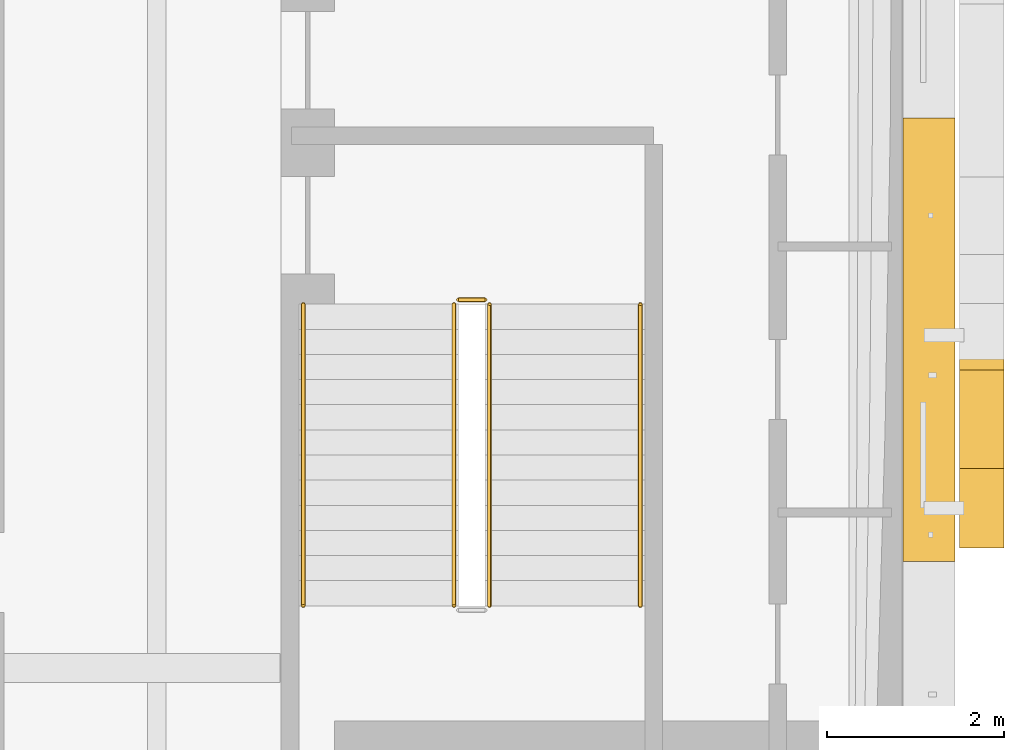
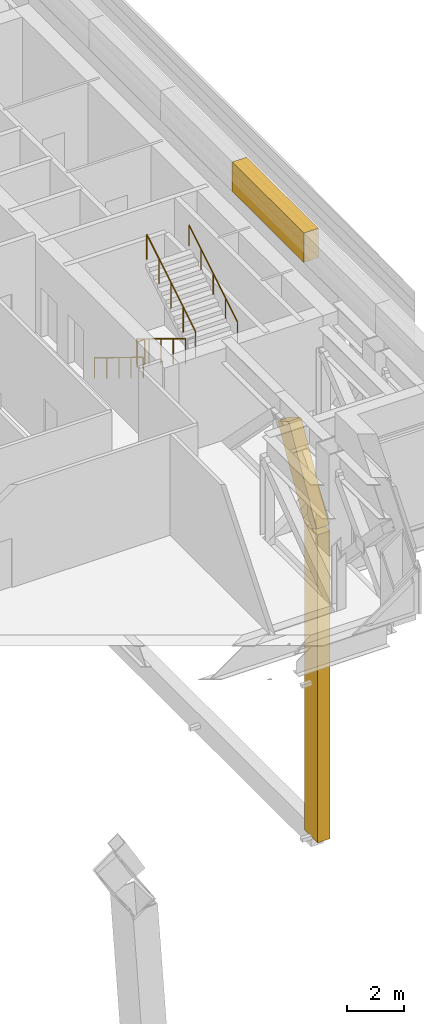
# One storey, part 28 of 38: 5 railings, 3 coverings.
"""IFC4 building model written with IfcOpenShell, lengths in metres."""

from ifc_helpers import new_model, si_unit, direction, frame, origin, origin_2d, place, context, subcontext, project, spatial, polyline, rectangle, circle, outline, extrude, material, material_profile, profile_set, type_object, element, save


model = new_model("IFC4")

# Units and contexts
model_context = context("Model", 3, precision=1e-05, world=origin(), true_north=direction((0.0, 1.0)))
body_context = subcontext(model_context, "Body", "Model", "MODEL_VIEW")
ifc_project = project(units=[si_unit("LENGTHUNIT", "METRE"), si_unit("AREAUNIT", "SQUARE_METRE"), si_unit("VOLUMEUNIT", "CUBIC_METRE"), si_unit("PLANEANGLEUNIT", "RADIAN"), si_unit("MASSUNIT", "GRAM", prefix="KILO")], contexts=[model_context])

# Site, building, storey
site_placement = place(None, origin())
site = spatial("IfcSite", under=ifc_project, at=site_placement, CompositionType="ELEMENT")
building_placement = place(site_placement, origin())
building = spatial("IfcBuilding", under=site, at=building_placement, Name="Cobrizo Arcos Hotel Tower", CompositionType="ELEMENT")
storey_placement = place(building_placement, frame((0.0, 0.0, 138.0)))
storey = spatial("IfcBuildingStorey", under=building, at=storey_placement, Name="L35", CompositionType="ELEMENT", Elevation=138.0)

# Coverings
ifc_material_1 = material(Name="Aluminium 6063-T6 anodised pale", Category="aluminium")
ifc_material_profile = material_profile(ifc_material_1, rectangle(XDim=0.5, YDim=0.89990234375, at=origin_2d()), Name="AF-2 core arch rim 500x900")
ifc_profile_set = profile_set([ifc_material_profile], Name="Aluminium 6063-T6 anodised pale")
covering_type_1 = type_object("IfcCoveringType", Name="AF-2 core arch rim 500x900", PredefinedType="CLADDING", material=ifc_profile_set)
covering_1_placement = place(storey_placement, frame((23.699951171875, -7.800048828125, -7.4326171875), z_axis=(0.0, 0.497621047013, 0.867394543198), x_axis=(-1.0, 0.0, 0.0)))
element("IfcCovering", 1, at=covering_1_placement, inside=storey, type_object=covering_type_1, Name="Arch rim B E face", PredefinedType="CLADDING", context=body_context, shape_type="SweptSolid", body=[
    extrude(rectangle(XDim=0.5, YDim=0.89990234375, at=origin_2d()), origin(), (0.0, 0.0, 1.0), 3.91845703125),
])
covering_2_placement = place(storey_placement, frame((23.699951171875, -7.800048828125, -20.550048828125), z_axis=(0.0, 0.0, 1.0), x_axis=(1.0, 0.0, 0.0)))
element("IfcCovering", 2, at=covering_2_placement, inside=storey, type_object=covering_type_1, Name="Arch rim B E face", PredefinedType="CLADDING", context=body_context, shape_type="SweptSolid", body=[
    extrude(rectangle(XDim=0.5, YDim=0.89990234375, at=origin_2d()), origin(), (0.0, 0.0, 1.0), 13.117431640625),
])
covering_type_2 = type_object("IfcCoveringType", Name="LF-1 setback skirt", PredefinedType="CLADDING", material=ifc_material_1)
covering_3_placement = place(storey_placement, frame((0.0, 0.0, 4.5)))
element("IfcCovering", 3, at=covering_3_placement, inside=storey, type_object=covering_type_2, Name="Setback skirt L35", PredefinedType="CLADDING", context=body_context, shape_type="SweptSolid", body=[
    extrude(outline(polyline([(22.81005859375, -3.39990234375), (22.81005859375, -8.39990234375), (23.39990234375, -8.39990234375), (23.39990234375, -3.39990234375), (22.81005859375, -3.39990234375)])), origin(), (0.0, 0.0, 1.0), 1.25),
])

# Railings
ifc_material_2 = material(Name="Stainless steel railing", Category="steel")
railing_type_1 = type_object("IfcRailingType", Name="Stair guard 1100", PredefinedType="GUARDRAIL", material=ifc_material_2)
railing_1_placement = place(storey_placement, frame((17.75, -5.5, 0.173095703125)))
element("IfcRailing", 4, at=railing_1_placement, inside=storey, type_object=railing_type_1, Name="L35 ST-E stair guard 1", PredefinedType="GUARDRAIL", context=body_context, shape_type="SweptSolid", body=[
    extrude(circle(Radius=0.02392578125, at=origin_2d()), frame((0.0, 0.0, 1.076171875), z_axis=(0.0, -0.853372706543, 0.52130127923), x_axis=(1.0, 0.0, 0.0)), (0.0, 0.0, 1.0), 3.984130859375),
    extrude(circle(Radius=0.02099609375, at=origin_2d()), origin(), (0.0, 0.0, 1.0), 1.052001953125),
    extrude(circle(Radius=0.02099609375, at=origin_2d()), frame((0.0, -0.85009765625, 0.519287109375)), (0.0, 0.0, 1.0), 1.052001953125),
    extrude(circle(Radius=0.02099609375, at=origin_2d()), frame((0.0, -1.699951171875, 1.03857421875)), (0.0, 0.0, 1.0), 1.052001953125),
    extrude(circle(Radius=0.02099609375, at=origin_2d()), frame((0.0, -2.5498046875, 1.5576171875)), (0.0, 0.0, 1.0), 1.052001953125),
    extrude(circle(Radius=0.02099609375, at=origin_2d()), frame((0.0, -3.39990234375, 2.076904296875)), (0.0, 0.0, 1.0), 1.052001953125),
])
railing_2_placement = place(storey_placement, frame((18.14990234375, -8.89990234375, 2.423095703125)))
element("IfcRailing", 5, at=railing_2_placement, inside=storey, type_object=railing_type_1, Name="L35 ST-E stair guard 3", PredefinedType="GUARDRAIL", context=body_context, shape_type="SweptSolid", body=[
    extrude(circle(Radius=0.02392578125, at=origin_2d()), frame((0.0, 0.0, 1.076171875), z_axis=(0.0, 0.853372706543, 0.52130127923), x_axis=(-1.0, 0.0, 0.0)), (0.0, 0.0, 1.0), 3.984130859375),
    extrude(circle(Radius=0.02099609375, at=origin_2d()), origin(), (0.0, 0.0, 1.0), 1.052001953125),
    extrude(circle(Radius=0.02099609375, at=origin_2d()), frame((0.0, 0.85009765625, 0.519287109375)), (0.0, 0.0, 1.0), 1.052001953125),
    extrude(circle(Radius=0.02099609375, at=origin_2d()), frame((0.0, 1.699951171875, 1.03857421875)), (0.0, 0.0, 1.0), 1.052001953125),
    extrude(circle(Radius=0.02099609375, at=origin_2d()), frame((0.0, 2.5498046875, 1.5576171875)), (0.0, 0.0, 1.0), 1.052001953125),
    extrude(circle(Radius=0.02099609375, at=origin_2d()), frame((0.0, 3.39990234375, 2.076904296875)), (0.0, 0.0, 1.0), 1.052001953125),
])
railing_3_placement = place(storey_placement, frame((17.800048828125, -5.449951171875, 0.0)))
element("IfcRailing", 6, at=railing_3_placement, inside=storey, type_object=railing_type_1, Name="L35 ST-E stair guard 4", PredefinedType="GUARDRAIL", context=body_context, shape_type="SweptSolid", body=[
    extrude(circle(Radius=0.02392578125, at=origin_2d()), frame((0.0, 0.0, 1.076171875), z_axis=(1.0, 0.0, 0.0), x_axis=(0.0, 1.0, 0.0)), (0.0, 0.0, 1.0), 0.300048828125),
    extrude(circle(Radius=0.02099609375, at=origin_2d()), origin(), (0.0, 0.0, 1.0), 1.052001953125),
    extrude(circle(Radius=0.02099609375, at=origin_2d()), frame((0.300048828125, 0.0, 0.0)), (0.0, 0.0, 1.0), 1.052001953125),
])
railing_type_2 = type_object("IfcRailingType", Name="Stair handrail", PredefinedType="HANDRAIL", material=ifc_material_2)
railing_4_placement = place(storey_placement, frame((16.050048828125, -5.5, 0.173095703125)))
element("IfcRailing", 7, at=railing_4_placement, inside=storey, type_object=railing_type_2, Name="L35 ST-E stair handrail 1", PredefinedType="HANDRAIL", context=body_context, shape_type="SweptSolid", body=[
    extrude(circle(Radius=0.02392578125, at=origin_2d()), frame((0.0, 0.0, 0.8759765625), z_axis=(0.0, -0.853372706543, 0.52130127923), x_axis=(1.0, 0.0, 0.0)), (0.0, 0.0, 1.0), 3.984130859375),
    extrude(circle(Radius=0.02099609375, at=origin_2d()), origin(), (0.0, 0.0, 1.0), 0.851806640625),
    extrude(circle(Radius=0.02099609375, at=origin_2d()), frame((0.0, -0.85009765625, 0.519287109375)), (0.0, 0.0, 1.0), 0.851806640625),
    extrude(circle(Radius=0.02099609375, at=origin_2d()), frame((0.0, -1.699951171875, 1.03857421875)), (0.0, 0.0, 1.0), 0.851806640625),
    extrude(circle(Radius=0.02099609375, at=origin_2d()), frame((0.0, -2.5498046875, 1.5576171875)), (0.0, 0.0, 1.0), 0.851806640625),
    extrude(circle(Radius=0.02099609375, at=origin_2d()), frame((0.0, -3.39990234375, 2.076904296875)), (0.0, 0.0, 1.0), 0.851806640625),
])
railing_5_placement = place(storey_placement, frame((19.85009765625, -8.89990234375, 2.423095703125)))
element("IfcRailing", 8, at=railing_5_placement, inside=storey, type_object=railing_type_2, Name="L35 ST-E stair handrail 2", PredefinedType="HANDRAIL", context=body_context, shape_type="SweptSolid", body=[
    extrude(circle(Radius=0.02392578125, at=origin_2d()), frame((0.0, 0.0, 0.8759765625), z_axis=(0.0, 0.853372706543, 0.52130127923), x_axis=(-1.0, 0.0, 0.0)), (0.0, 0.0, 1.0), 3.984130859375),
    extrude(circle(Radius=0.02099609375, at=origin_2d()), origin(), (0.0, 0.0, 1.0), 0.851806640625),
    extrude(circle(Radius=0.02099609375, at=origin_2d()), frame((0.0, 0.85009765625, 0.519287109375)), (0.0, 0.0, 1.0), 0.851806640625),
    extrude(circle(Radius=0.02099609375, at=origin_2d()), frame((0.0, 1.699951171875, 1.03857421875)), (0.0, 0.0, 1.0), 0.851806640625),
    extrude(circle(Radius=0.02099609375, at=origin_2d()), frame((0.0, 2.5498046875, 1.5576171875)), (0.0, 0.0, 1.0), 0.851806640625),
    extrude(circle(Radius=0.02099609375, at=origin_2d()), frame((0.0, 3.39990234375, 2.076904296875)), (0.0, 0.0, 1.0), 0.851806640625),
])

save(model, "model.ifc")
